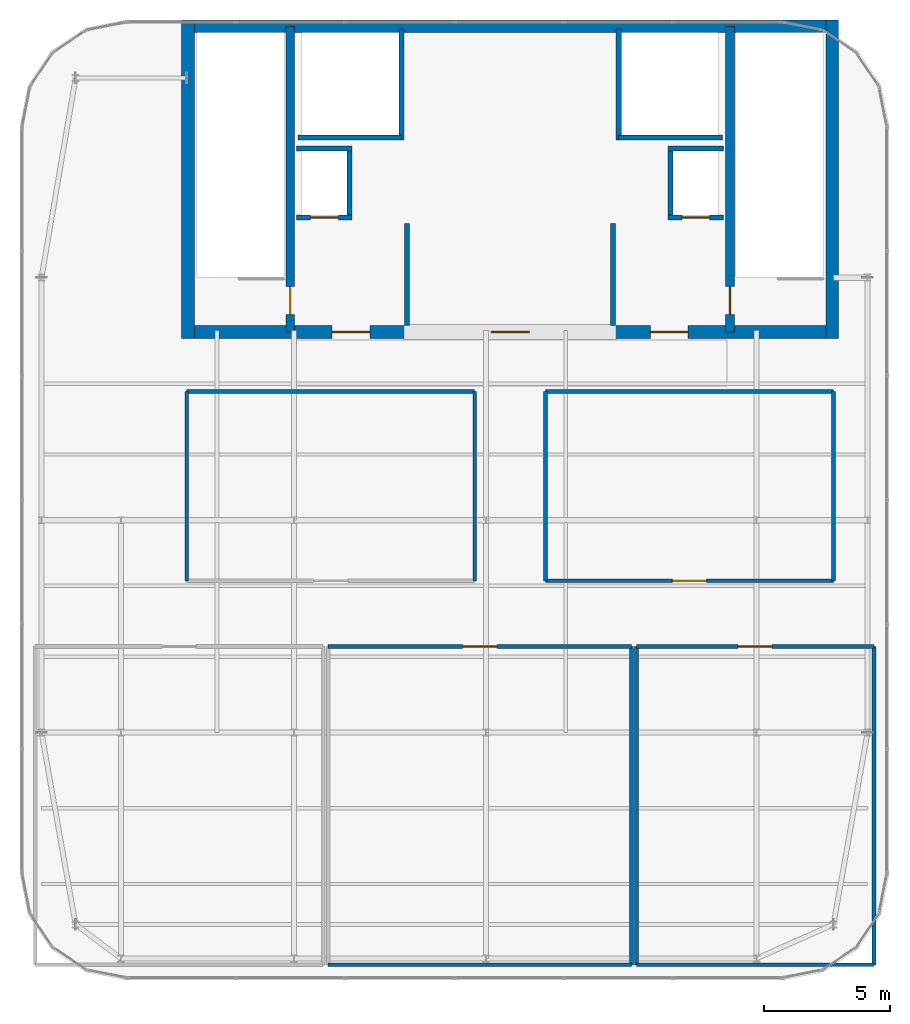
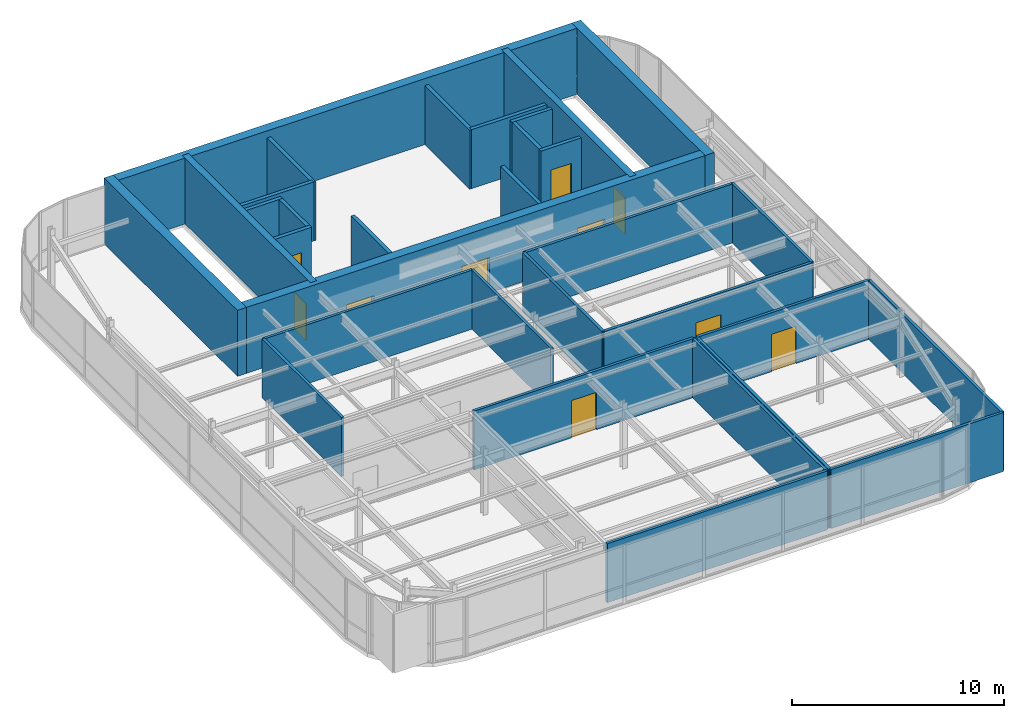
# One storey, part 34 of 35: 32 walls, 10 doors, 10 openings.
"""IFC4 building model written with IfcOpenShell, lengths in metres."""

from ifc_helpers import new_model, si_unit, direction, frame, frame_2d, origin, place, context, subcontext, project, spatial, rectangle, extrude, source, transform, mapped, material, layer, layer_set, type_object, type_shapes, element, fill, save


model = new_model("IFC4")

# Units and contexts
model_context = context("Model", 3, precision=1e-05, world=origin(), true_north=direction((0.0, 1.0)))
body_context = subcontext(model_context, "Body", "Model", "MODEL_VIEW")
ifc_project = project(units=[si_unit("LENGTHUNIT", "METRE"), si_unit("AREAUNIT", "SQUARE_METRE"), si_unit("VOLUMEUNIT", "CUBIC_METRE"), si_unit("PLANEANGLEUNIT", "RADIAN"), si_unit("MASSUNIT", "GRAM", prefix="KILO")], contexts=[model_context])

# Site, building, storey
site_placement = place(None, origin())
site = spatial("IfcSite", under=ifc_project, at=site_placement, CompositionType="ELEMENT")
building_placement = place(site_placement, origin())
building = spatial("IfcBuilding", under=site, at=building_placement, Name="Tolvann Quenvar Hotel", CompositionType="ELEMENT")
storey_placement = place(building_placement, frame((0.0, 0.0, 309.949951171875)))
storey = spatial("IfcBuildingStorey", under=building, at=storey_placement, Name="L82", CompositionType="ELEMENT", Elevation=309.949951171875)

# Wall, openings, doors
ifc_material_1 = material(Name="Concrete N50 (50 MPa)", Category="concrete")
ifc_layer_1 = layer(ifc_material_1, 0.5)
ifc_layer_set_1 = layer_set([ifc_layer_1], Name="Concrete N50 (50 MPa)")
wall_type_1 = type_object("IfcWallType", Name="WALL_CORE_500", PredefinedType="SHEAR", material=ifc_layer_set_1)
wall_1_placement = place(storey_placement, frame((10.0, 31.85009765625, 0.0), z_axis=(0.0, 0.0, 1.0), x_axis=(1.0, 0.0, 0.0)))
wall_1 = element("IfcWall", 1, at=wall_1_placement, inside=storey, type_object=wall_type_1, Name="Rear Core S Shear Wall (L82)", PredefinedType="SHEAR", context=body_context, shape_type="SweptSolid", body=[
    extrude(rectangle(XDim=26.0, YDim=0.5, at=frame_2d((13.0, 0.0))), origin(), (0.0, 0.0, 1.0), 3.800048828125),
])
opening_1_placement = place(wall_1_placement, frame((7.449951171875, 0.0, 0.0), z_axis=(0.0, 0.0, 1.0), x_axis=(-1.0, 0.0, 0.0)))
opening_1 = element("IfcOpeningElement", 2, at=opening_1_placement, cuts=wall_1, Name="Opening FD-60D", PredefinedType="OPENING", context=body_context, shape_type="SweptSolid", body=[
    extrude(rectangle(XDim=1.5, YDim=2.0400390625, at=frame_2d((0.75, 1.02001953125))), frame((0.0, 0.260009765625, 0.0), z_axis=(0.0, -1.0, 0.0), x_axis=(1.0, 0.0, 0.0)), (0.0, 0.0, 1.0), 0.52001953125),
])
opening_2_placement = place(wall_1_placement, frame((13.75, 0.0, 0.0), z_axis=(0.0, 0.0, 1.0), x_axis=(-1.0, 0.0, 0.0)))
opening_2 = element("IfcOpeningElement", 3, at=opening_2_placement, cuts=wall_1, Name="Opening FD-60D", PredefinedType="OPENING", context=body_context, shape_type="SweptSolid", body=[
    extrude(rectangle(XDim=1.5, YDim=2.0400390625, at=frame_2d((0.75, 1.02001953125))), frame((0.0, 0.260009765625, 0.0), z_axis=(0.0, -1.0, 0.0), x_axis=(1.0, 0.0, 0.0)), (0.0, 0.0, 1.0), 0.52001953125),
])
opening_3_placement = place(wall_1_placement, frame((20.050048828125, 0.0, 0.0), z_axis=(0.0, 0.0, 1.0), x_axis=(-1.0, 0.0, 0.0)))
opening_3 = element("IfcOpeningElement", 4, at=opening_3_placement, cuts=wall_1, Name="Opening FD-60D", PredefinedType="OPENING", context=body_context, shape_type="SweptSolid", body=[
    extrude(rectangle(XDim=1.5, YDim=2.0400390625, at=frame_2d((0.75, 1.02001953125))), frame((0.0, 0.260009765625, 0.0), z_axis=(0.0, -1.0, 0.0), x_axis=(1.0, 0.0, 0.0)), (0.0, 0.0, 1.0), 0.52001953125),
])
ifc_material_2 = material(Name="Solid-core American oak acoustic fire door leaf in steel frame", Category="steel")
door_type_1 = type_object("IfcDoorType", Name="DOOR_FIRE_LOBBY_1500", OperationType="NOTDEFINED", PredefinedType="DOOR", material=ifc_material_2)
shared_shape_1 = source(origin(), body_context, "Body", "SweptSolid", [
    extrude(rectangle(XDim=1.5, YDim=2.0400390625, at=frame_2d((0.75, 1.02001953125))), frame((0.0, 0.02490234375, 0.0), z_axis=(0.0, -1.0, 0.0), x_axis=(1.0, 0.0, 0.0)), (0.0, 0.0, 1.0), 0.050048828125),
])
type_shapes(door_type_1, [shared_shape_1])
door_1_placement = place(opening_1_placement, origin())
door_1 = element("IfcDoor", 5, at=door_1_placement, inside=storey, type_object=door_type_1, Name="Core Lobby Fire Door FFW (L82)", OperationType="DOUBLE_DOOR_SINGLE_SWING", OverallHeight=2.0400390625, OverallWidth=1.5, PredefinedType="DOOR", context=body_context, shape_type="MappedRepresentation", body=[
    mapped(shared_shape_1, transform((0.0, 0.0, 0.0), x_axis=(1.0, 0.0, 0.0), y_axis=(0.0, 1.0, 0.0), z_axis=(0.0, 0.0, 1.0), scale=1.0)),
])
fill(opening_1, door_1)
door_2_placement = place(opening_2_placement, origin())
door_2 = element("IfcDoor", 6, at=door_2_placement, inside=storey, type_object=door_type_1, Name="Core Lobby Fire Door CLOB (L82)", OperationType="DOUBLE_DOOR_SINGLE_SWING", OverallHeight=2.0400390625, OverallWidth=1.5, PredefinedType="DOOR", context=body_context, shape_type="MappedRepresentation", body=[
    mapped(shared_shape_1, transform((0.0, 0.0, 0.0), x_axis=(1.0, 0.0, 0.0), y_axis=(0.0, 1.0, 0.0), z_axis=(0.0, 0.0, 1.0), scale=1.0)),
])
fill(opening_2, door_2)
door_3_placement = place(opening_3_placement, origin())
door_3 = element("IfcDoor", 7, at=door_3_placement, inside=storey, type_object=door_type_1, Name="Core Lobby Fire Door FFE (L82)", OperationType="DOUBLE_DOOR_SINGLE_SWING", OverallHeight=2.0400390625, OverallWidth=1.5, PredefinedType="DOOR", context=body_context, shape_type="MappedRepresentation", body=[
    mapped(shared_shape_1, transform((0.0, 0.0, 0.0), x_axis=(1.0, 0.0, 0.0), y_axis=(0.0, 1.0, 0.0), z_axis=(0.0, 0.0, 1.0), scale=1.0)),
])
fill(opening_3, door_3)

# Walls
wall_2_placement = place(storey_placement, frame((10.0, 43.949951171875, 0.0), z_axis=(0.0, 0.0, 1.0), x_axis=(1.0, 0.0, 0.0)))
element("IfcWall", 8, at=wall_2_placement, inside=storey, type_object=wall_type_1, Name="Rear Core N Shear Wall (L82)", PredefinedType="SHEAR", context=body_context, shape_type="SweptSolid", body=[
    extrude(rectangle(XDim=26.0, YDim=0.5, at=frame_2d((13.0, 0.0))), origin(), (0.0, 0.0, 1.0), 3.800048828125),
])
for number, where, z_axis, x_axis, name in (
    (9, (10.25, 31.60009765625, 0.0), (0.0, 0.0, 1.0), (0.0, 1.0, 0.0), "Rear Core W Shear Wall (L82)"),
    (10, (35.75, 31.60009765625, 0.0), (0.0, 0.0, 1.0), (0.0, 1.0, 0.0), "Rear Core E Shear Wall (L82)"),
):
    element("IfcWall", number, at=place(storey_placement, frame(where, z_axis=z_axis, x_axis=x_axis)), inside=storey, type_object=wall_type_1, Name=name, PredefinedType="SHEAR", context=body_context, shape_type="SweptSolid", body=[
        extrude(rectangle(XDim=12.599853515625, YDim=0.5, at=frame_2d((6.2998046875, 0.0))), origin(), (0.0, 0.0, 1.0), 3.800048828125),
    ])

# Wall, opening, door
ifc_material_3 = material(Name="Concrete S65 (65 MPa)", Category="concrete")
ifc_layer_2 = layer(ifc_material_3, 0.35009765625)
ifc_layer_set_2 = layer_set([ifc_layer_2], Name="Concrete S65 (65 MPa)")
wall_type_2 = type_object("IfcWallType", Name="WALL_CORE_INT_350", PredefinedType="SHEAR", material=ifc_layer_set_2)
wall_3_placement = place(storey_placement, frame((14.300048828125, 31.85009765625, 0.0), z_axis=(0.0, 0.0, 1.0), x_axis=(0.0, 1.0, 0.0)))
wall_3 = element("IfcWall", 11, at=wall_3_placement, inside=storey, type_object=wall_type_2, Name="Core Internal Web Shear Wall WEB-W (L82)", PredefinedType="SHEAR", context=body_context, shape_type="SweptSolid", body=[
    extrude(rectangle(XDim=12.099853515625, YDim=0.35009765625, at=frame_2d((6.0498046875, 0.0))), origin(), (0.0, 0.0, 1.0), 3.800048828125),
])
opening_4_placement = place(wall_3_placement, frame((0.699951171875, 0.0, 0.0)))
opening_4 = element("IfcOpeningElement", 12, at=opening_4_placement, cuts=wall_3, Name="Opening FD-120", PredefinedType="OPENING", context=body_context, shape_type="SweptSolid", body=[
    extrude(rectangle(XDim=1.10009765625, YDim=2.1201171875, at=frame_2d((0.550048828125, 1.06005859375))), frame((0.0, 0.18505859375, 0.0), z_axis=(0.0, -1.0, 0.0), x_axis=(1.0, 0.0, 0.0)), (0.0, 0.0, 1.0), 0.3701171875),
])
ifc_material_4 = material(Name="Pressed galvanised steel fire-rated door set", Category="steel")
door_type_2 = type_object("IfcDoorType", Name="DOOR_FIRE_STAIR_1100", OperationType="NOTDEFINED", PredefinedType="DOOR", material=ifc_material_4)
shared_shape_2 = source(origin(), body_context, "Body", "SweptSolid", [
    extrude(rectangle(XDim=1.10009765625, YDim=2.1201171875, at=frame_2d((0.550048828125, 1.06005859375))), frame((0.0, 0.02490234375, 0.0), z_axis=(0.0, -1.0, 0.0), x_axis=(1.0, 0.0, 0.0)), (0.0, 0.0, 1.0), 0.050048828125),
])
type_shapes(door_type_2, [shared_shape_2])
door_4_placement = place(opening_4_placement, origin())
door_4 = element("IfcDoor", 13, at=door_4_placement, inside=storey, type_object=door_type_2, Name="Exit Stair ST-C1 Fire Door (L82)", OperationType="SINGLE_SWING_LEFT", OverallHeight=2.1201171875, OverallWidth=1.10009765625, PredefinedType="DOOR", context=body_context, shape_type="MappedRepresentation", body=[
    mapped(shared_shape_2, transform((0.0, 0.0, 0.0), x_axis=(1.0, 0.0, 0.0), y_axis=(0.0, 1.0, 0.0), z_axis=(0.0, 0.0, 1.0), scale=1.0)),
])
fill(opening_4, door_4)

wall_4_placement = place(storey_placement, frame((31.699951171875, 31.85009765625, 0.0), z_axis=(0.0, 0.0, 1.0), x_axis=(0.0, 1.0, 0.0)))
wall_4 = element("IfcWall", 14, at=wall_4_placement, inside=storey, type_object=wall_type_2, Name="Core Internal Web Shear Wall WEB-E (L82)", PredefinedType="SHEAR", context=body_context, shape_type="SweptSolid", body=[
    extrude(rectangle(XDim=12.099853515625, YDim=0.35009765625, at=frame_2d((6.0498046875, 0.0))), origin(), (0.0, 0.0, 1.0), 3.800048828125),
])
opening_5_placement = place(wall_4_placement, frame((1.800048828125, 0.0, 0.0), z_axis=(0.0, 0.0, 1.0), x_axis=(-1.0, 0.0, 0.0)))
opening_5 = element("IfcOpeningElement", 15, at=opening_5_placement, cuts=wall_4, Name="Opening FD-120", PredefinedType="OPENING", context=body_context, shape_type="SweptSolid", body=[
    extrude(rectangle(XDim=1.10009765625, YDim=2.1201171875, at=frame_2d((0.550048828125, 1.06005859375))), frame((0.0, 0.18505859375, 0.0), z_axis=(0.0, -1.0, 0.0), x_axis=(1.0, 0.0, 0.0)), (0.0, 0.0, 1.0), 0.3701171875),
])
door_5_placement = place(opening_5_placement, origin())
door_5 = element("IfcDoor", 16, at=door_5_placement, inside=storey, type_object=door_type_2, Name="Exit Stair ST-C2 Fire Door (L82)", OperationType="SINGLE_SWING_RIGHT", OverallHeight=2.1201171875, OverallWidth=1.10009765625, PredefinedType="DOOR", context=body_context, shape_type="MappedRepresentation", body=[
    mapped(shared_shape_2, transform((0.0, 0.0, 0.0), x_axis=(1.0, 0.0, 0.0), y_axis=(0.0, 1.0, 0.0), z_axis=(0.0, 0.0, 1.0), scale=1.0)),
])
fill(opening_5, door_5)

# Wall
ifc_material_5 = material(Name="Acoustic twin-stud fire-rated gypsum plasterboard partition")
ifc_layer_3 = layer(ifc_material_5, 0.14990234375)
ifc_layer_set_3 = layer_set([ifc_layer_3], Name="Acoustic twin-stud fire-rated gypsum plasterboard partition")
wall_type_3 = type_object("IfcWallType", Name="WALL_PART_SUITE_150", PredefinedType="PARTITIONING", material=ifc_layer_set_3)
wall_5_placement = place(storey_placement, frame((15.800048828125, 6.800048828125, 0.0), z_axis=(0.0, 0.0, 1.0), x_axis=(1.0, 0.0, 0.0)))
element("IfcWall", 17, at=wall_5_placement, inside=storey, type_object=wall_type_3, Name="Interior Partition PT-SPC-L82-HRC-S", PredefinedType="PARTITIONING", context=body_context, shape_type="SweptSolid", body=[
    extrude(rectangle(XDim=12.0, YDim=0.14990234375, at=frame_2d((6.0, 0.0))), origin(), (0.0, 0.0, 1.0), 3.400146484375),
])

# Wall, opening, door
wall_6_placement = place(storey_placement, frame((15.800048828125, 19.39990234375, 0.0), z_axis=(0.0, 0.0, 1.0), x_axis=(1.0, 0.0, 0.0)))
wall_6 = element("IfcWall", 18, at=wall_6_placement, inside=storey, type_object=wall_type_3, Name="Interior Partition PT-SPC-L82-HRC-N", PredefinedType="PARTITIONING", context=body_context, shape_type="SweptSolid", body=[
    extrude(rectangle(XDim=12.0, YDim=0.14990234375, at=frame_2d((6.0, 0.0))), origin(), (0.0, 0.0, 1.0), 3.400146484375),
])
opening_6_placement = place(wall_6_placement, frame((5.324951171875, 0.0, 0.0)))
opening_6 = element("IfcOpeningElement", 19, at=opening_6_placement, cuts=wall_6, Name="Opening PD-01", PredefinedType="OPENING", context=body_context, shape_type="SweptSolid", body=[
    extrude(rectangle(XDim=1.35009765625, YDim=2.14990234375, at=frame_2d((0.675048828125, 1.074951171875))), frame((0.0, 0.0849609375, 0.0), z_axis=(0.0, -1.0, 0.0), x_axis=(1.0, 0.0, 0.0)), (0.0, 0.0, 1.0), 0.169921875),
])
door_type_3 = type_object("IfcDoorType", Name="DOOR_PLANT_1350", OperationType="NOTDEFINED", PredefinedType="DOOR", material=ifc_material_4)
shared_shape_3 = source(origin(), body_context, "Body", "SweptSolid", [
    extrude(rectangle(XDim=1.35009765625, YDim=2.14990234375, at=frame_2d((0.675048828125, 1.074951171875))), frame((0.0, 0.02490234375, 0.0), z_axis=(0.0, -1.0, 0.0), x_axis=(1.0, 0.0, 0.0)), (0.0, 0.0, 1.0), 0.050048828125),
])
type_shapes(door_type_3, [shared_shape_3])
door_6_placement = place(opening_6_placement, origin())
door_6 = element("IfcDoor", 20, at=door_6_placement, inside=storey, type_object=door_type_3, Name="Interior Door DOOR-SPC-L82-HRC", OperationType="DOUBLE_DOOR_SINGLE_SWING", OverallHeight=2.14990234375, OverallWidth=1.35009765625, PredefinedType="DOOR", context=body_context, shape_type="MappedRepresentation", body=[
    mapped(shared_shape_3, transform((0.0, 0.0, 0.0), x_axis=(1.0, 0.0, 0.0), y_axis=(0.0, 1.0, 0.0), z_axis=(0.0, 0.0, 1.0), scale=1.0)),
])
fill(opening_6, door_6)

# Walls
wall_7_placement = place(storey_placement, frame((27.800048828125, 6.800048828125, 0.0), z_axis=(0.0, 0.0, 1.0), x_axis=(0.0, 1.0, 0.0)))
element("IfcWall", 21, at=wall_7_placement, inside=storey, type_object=wall_type_3, Name="Interior Partition PT-SPC-L82-HRC-E", PredefinedType="PARTITIONING", context=body_context, shape_type="SweptSolid", body=[
    extrude(rectangle(XDim=12.599853515625, YDim=0.14990234375, at=frame_2d((6.2998046875, 0.0))), origin(), (0.0, 0.0, 1.0), 3.400146484375),
])
wall_8_placement = place(storey_placement, frame((28.0, 6.800048828125, 0.0), z_axis=(0.0, 0.0, 1.0), x_axis=(1.0, 0.0, 0.0)))
element("IfcWall", 22, at=wall_8_placement, inside=storey, type_object=wall_type_3, Name="Interior Partition PT-SPC-L82-PMP-S", PredefinedType="PARTITIONING", context=body_context, shape_type="SweptSolid", body=[
    extrude(rectangle(XDim=9.39990234375, YDim=0.14990234375, at=frame_2d((4.699951171875, 0.0))), origin(), (0.0, 0.0, 1.0), 3.400146484375),
])

# Wall, opening, door
wall_9_placement = place(storey_placement, frame((28.0, 19.39990234375, 0.0), z_axis=(0.0, 0.0, 1.0), x_axis=(1.0, 0.0, 0.0)))
wall_9 = element("IfcWall", 23, at=wall_9_placement, inside=storey, type_object=wall_type_3, Name="Interior Partition PT-SPC-L82-PMP-N", PredefinedType="PARTITIONING", context=body_context, shape_type="SweptSolid", body=[
    extrude(rectangle(XDim=9.39990234375, YDim=0.14990234375, at=frame_2d((4.699951171875, 0.0))), origin(), (0.0, 0.0, 1.0), 3.400146484375),
])
opening_7_placement = place(wall_9_placement, frame((4.02490234375, 0.0, 0.0)))
opening_7 = element("IfcOpeningElement", 24, at=opening_7_placement, cuts=wall_9, Name="Opening PD-01", PredefinedType="OPENING", context=body_context, shape_type="SweptSolid", body=[
    extrude(rectangle(XDim=1.35009765625, YDim=2.14990234375, at=frame_2d((0.675048828125, 1.074951171875))), frame((0.0, 0.0849609375, 0.0), z_axis=(0.0, -1.0, 0.0), x_axis=(1.0, 0.0, 0.0)), (0.0, 0.0, 1.0), 0.169921875),
])
door_7_placement = place(opening_7_placement, origin())
door_7 = element("IfcDoor", 25, at=door_7_placement, inside=storey, type_object=door_type_3, Name="Interior Door DOOR-SPC-L82-PMP", OperationType="DOUBLE_DOOR_SINGLE_SWING", OverallHeight=2.14990234375, OverallWidth=1.35009765625, PredefinedType="DOOR", context=body_context, shape_type="MappedRepresentation", body=[
    mapped(shared_shape_3, transform((0.0, 0.0, 0.0), x_axis=(1.0, 0.0, 0.0), y_axis=(0.0, 1.0, 0.0), z_axis=(0.0, 0.0, 1.0), scale=1.0)),
])
fill(opening_7, door_7)

# Walls
for number, where, z_axis, x_axis, name in (
    (26, (28.0, 6.800048828125, 0.0), (0.0, 0.0, 1.0), (0.0, 1.0, 0.0), "Interior Partition PT-SPC-L82-PMP-W"),
    (27, (37.39990234375, 6.800048828125, 0.0), (0.0, 0.0, 1.0), (0.0, 1.0, 0.0), "Interior Partition PT-SPC-L82-PMP-E"),
):
    element("IfcWall", number, at=place(storey_placement, frame(where, z_axis=z_axis, x_axis=x_axis)), inside=storey, type_object=wall_type_3, Name=name, PredefinedType="PARTITIONING", context=body_context, shape_type="SweptSolid", body=[
        extrude(rectangle(XDim=12.599853515625, YDim=0.14990234375, at=frame_2d((6.2998046875, 0.0))), origin(), (0.0, 0.0, 1.0), 3.400146484375),
    ])
wall_10_placement = place(storey_placement, frame((10.199951171875, 29.5, 0.0), z_axis=(0.0, 0.0, 1.0), x_axis=(1.0, 0.0, 0.0)))
element("IfcWall", 28, at=wall_10_placement, inside=storey, type_object=wall_type_3, Name="Interior Partition PT-SPC-L82-MNT-N", PredefinedType="PARTITIONING", context=body_context, shape_type="SweptSolid", body=[
    extrude(rectangle(XDim=11.400146484375, YDim=0.14990234375, at=frame_2d((5.7001953125, 0.0))), origin(), (0.0, 0.0, 1.0), 3.400146484375),
])
for number, where, z_axis, x_axis, name in (
    (29, (10.199951171875, 22.0, 0.0), (0.0, 0.0, 1.0), (0.0, 1.0, 0.0), "Interior Partition PT-SPC-L82-MNT-W"),
    (30, (21.60009765625, 22.0, 0.0), (0.0, 0.0, 1.0), (0.0, 1.0, 0.0), "Interior Partition PT-SPC-L82-MNT-E"),
):
    element("IfcWall", number, at=place(storey_placement, frame(where, z_axis=z_axis, x_axis=x_axis)), inside=storey, type_object=wall_type_3, Name=name, PredefinedType="PARTITIONING", context=body_context, shape_type="SweptSolid", body=[
        extrude(rectangle(XDim=7.5, YDim=0.14990234375, at=frame_2d((3.75, 0.0))), origin(), (0.0, 0.0, 1.0), 3.400146484375),
    ])

# Wall, opening, door
wall_11_placement = place(storey_placement, frame((24.39990234375, 22.0, 0.0), z_axis=(0.0, 0.0, 1.0), x_axis=(1.0, 0.0, 0.0)))
wall_11 = element("IfcWall", 31, at=wall_11_placement, inside=storey, type_object=wall_type_3, Name="Interior Partition PT-SPC-L82-SOL-S", PredefinedType="PARTITIONING", context=body_context, shape_type="SweptSolid", body=[
    extrude(rectangle(XDim=11.400146484375, YDim=0.14990234375, at=frame_2d((5.7001953125, 0.0))), origin(), (0.0, 0.0, 1.0), 3.400146484375),
])
opening_8_placement = place(wall_11_placement, frame((5.02490234375, 0.0, 0.0)))
opening_8 = element("IfcOpeningElement", 32, at=opening_8_placement, cuts=wall_11, Name="Opening PD-01", PredefinedType="OPENING", context=body_context, shape_type="SweptSolid", body=[
    extrude(rectangle(XDim=1.35009765625, YDim=2.14990234375, at=frame_2d((0.675048828125, 1.074951171875))), frame((0.0, 0.0849609375, 0.0), z_axis=(0.0, -1.0, 0.0), x_axis=(1.0, 0.0, 0.0)), (0.0, 0.0, 1.0), 0.169921875),
])
door_8_placement = place(opening_8_placement, origin())
door_8 = element("IfcDoor", 33, at=door_8_placement, inside=storey, type_object=door_type_3, Name="Interior Door DOOR-SPC-L82-SOL", OperationType="DOUBLE_DOOR_SINGLE_SWING", OverallHeight=2.14990234375, OverallWidth=1.35009765625, PredefinedType="DOOR", context=body_context, shape_type="MappedRepresentation", body=[
    mapped(shared_shape_3, transform((0.0, 0.0, 0.0), x_axis=(1.0, 0.0, 0.0), y_axis=(0.0, 1.0, 0.0), z_axis=(0.0, 0.0, 1.0), scale=1.0)),
])
fill(opening_8, door_8)

# Walls
wall_12_placement = place(storey_placement, frame((24.39990234375, 29.5, 0.0), z_axis=(0.0, 0.0, 1.0), x_axis=(1.0, 0.0, 0.0)))
element("IfcWall", 34, at=wall_12_placement, inside=storey, type_object=wall_type_3, Name="Interior Partition PT-SPC-L82-SOL-N", PredefinedType="PARTITIONING", context=body_context, shape_type="SweptSolid", body=[
    extrude(rectangle(XDim=11.400146484375, YDim=0.14990234375, at=frame_2d((5.7001953125, 0.0))), origin(), (0.0, 0.0, 1.0), 3.400146484375),
])
for number, where, z_axis, x_axis, name in (
    (35, (24.39990234375, 22.0, 0.0), (0.0, 0.0, 1.0), (0.0, 1.0, 0.0), "Interior Partition PT-SPC-L82-SOL-W"),
    (36, (35.800048828125, 22.0, 0.0), (0.0, 0.0, 1.0), (0.0, 1.0, 0.0), "Interior Partition PT-SPC-L82-SOL-E"),
):
    element("IfcWall", number, at=place(storey_placement, frame(where, z_axis=z_axis, x_axis=x_axis)), inside=storey, type_object=wall_type_3, Name=name, PredefinedType="PARTITIONING", context=body_context, shape_type="SweptSolid", body=[
        extrude(rectangle(XDim=7.5, YDim=0.14990234375, at=frame_2d((3.75, 0.0))), origin(), (0.0, 0.0, 1.0), 3.400146484375),
    ])
ifc_material_6 = material(Name="Concrete N40 (40 MPa)", Category="concrete")
ifc_layer_4 = layer(ifc_material_6, 0.199951171875)
ifc_layer_set_4 = layer_set([ifc_layer_4], Name="Concrete N40 (40 MPa)")
wall_type_4 = type_object("IfcWallType", Name="WALL_SHAFT_200", PredefinedType="SOLIDWALL", material=ifc_layer_set_4)
wall_13_placement = place(storey_placement, frame((18.699951171875, 39.449951171875, 0.0), z_axis=(0.0, 0.0, 1.0), x_axis=(0.0, 1.0, 0.0)))
element("IfcWall", 37, at=wall_13_placement, inside=storey, type_object=wall_type_4, Name="Service Riser W Shaft Wall IN (L82)", PredefinedType="SOLIDWALL", context=body_context, shape_type="SweptSolid", body=[
    extrude(rectangle(XDim=4.400146484375, YDim=0.199951171875, at=frame_2d((2.2001953125, 0.0))), origin(), (0.0, 0.0, 1.0), 3.400146484375),
])
wall_14_placement = place(storey_placement, frame((14.60009765625, 39.550048828125, 0.0), z_axis=(0.0, 0.0, 1.0), x_axis=(1.0, 0.0, 0.0)))
element("IfcWall", 38, at=wall_14_placement, inside=storey, type_object=wall_type_4, Name="Service Riser W Shaft Wall S (L82)", PredefinedType="SOLIDWALL", context=body_context, shape_type="SweptSolid", body=[
    extrude(rectangle(XDim=4.099853515625, YDim=0.199951171875, at=frame_2d((2.0498046875, 0.0))), origin(), (0.0, 0.0, 1.0), 3.400146484375),
])
wall_15_placement = place(storey_placement, frame((27.300048828125, 39.449951171875, 0.0), z_axis=(0.0, 0.0, 1.0), x_axis=(0.0, 1.0, 0.0)))
element("IfcWall", 39, at=wall_15_placement, inside=storey, type_object=wall_type_4, Name="Service Riser E Shaft Wall IN (L82)", PredefinedType="SOLIDWALL", context=body_context, shape_type="SweptSolid", body=[
    extrude(rectangle(XDim=4.400146484375, YDim=0.199951171875, at=frame_2d((2.2001953125, 0.0))), origin(), (0.0, 0.0, 1.0), 3.400146484375),
])
wall_16_placement = place(storey_placement, frame((27.300048828125, 39.550048828125, 0.0), z_axis=(0.0, 0.0, 1.0), x_axis=(1.0, 0.0, 0.0)))
element("IfcWall", 40, at=wall_16_placement, inside=storey, type_object=wall_type_4, Name="Service Riser E Shaft Wall S (L82)", PredefinedType="SOLIDWALL", context=body_context, shape_type="SweptSolid", body=[
    extrude(rectangle(XDim=4.099853515625, YDim=0.199951171875, at=frame_2d((2.0498046875, 0.0))), origin(), (0.0, 0.0, 1.0), 3.400146484375),
])
for number, where, z_axis, x_axis, name in (
    (41, (18.919921875, 32.10400390625, 0.0), (0.0, 0.0, 1.0), (0.0, 1.0, 0.0), "Firefighting Lobby W Inner Fire Wall (L82)"),
    (42, (27.080078125, 32.10400390625, 0.0), (0.0, 0.0, 1.0), (0.0, 1.0, 0.0), "Firefighting Lobby E Inner Fire Wall (L82)"),
):
    element("IfcWall", number, at=place(storey_placement, frame(where, z_axis=z_axis, x_axis=x_axis)), inside=storey, type_object=wall_type_4, Name=name, PredefinedType="SOLIDWALL", context=body_context, shape_type="SweptSolid", body=[
        extrude(rectangle(XDim=4.0458984375, YDim=0.199951171875, at=frame_2d((2.02294921875, 0.0))), origin(), (0.0, 0.0, 1.0), 3.400146484375),
    ])

# Wall, opening, door
wall_17_placement = place(storey_placement, frame((29.25, 36.3798828125, 0.0), z_axis=(0.0, 0.0, 1.0), x_axis=(1.0, 0.0, 0.0)))
wall_17 = element("IfcWall", 43, at=wall_17_placement, inside=storey, type_object=wall_type_4, Name="Lift Bank SEC1 Hoistway Front Wall (L82)", PredefinedType="SOLIDWALL", context=body_context, shape_type="SweptSolid", body=[
    extrude(rectangle(XDim=2.199951171875, YDim=0.199951171875, at=frame_2d((1.10009765625, 0.0))), origin(), (0.0, 0.0, 1.0), 3.400146484375),
])
opening_9_placement = place(wall_17_placement, frame((0.550048828125, 0.0, 0.0)))
opening_9 = element("IfcOpeningElement", 44, at=opening_9_placement, cuts=wall_17, Name="Opening LD-01", PredefinedType="OPENING", context=body_context, shape_type="SweptSolid", body=[
    extrude(rectangle(XDim=1.10009765625, YDim=2.1201171875, at=frame_2d((0.550048828125, 1.06005859375))), frame((0.0, 0.10986328125, 0.0), z_axis=(0.0, -1.0, 0.0), x_axis=(1.0, 0.0, 0.0)), (0.0, 0.0, 1.0), 0.219970703125),
])
ifc_material_7 = material(Name="Brushed 316 stainless steel automatic sliding lift landing door", Category="steel")
door_type_4 = type_object("IfcDoorType", Name="DOOR_LIFT_SLIDE_1100", OperationType="NOTDEFINED", PredefinedType="DOOR", material=ifc_material_7)
shared_shape_4 = source(origin(), body_context, "Body", "SweptSolid", [
    extrude(rectangle(XDim=1.10009765625, YDim=2.1201171875, at=frame_2d((0.550048828125, 1.06005859375))), frame((0.0, 0.02490234375, 0.0), z_axis=(0.0, -1.0, 0.0), x_axis=(1.0, 0.0, 0.0)), (0.0, 0.0, 1.0), 0.050048828125),
])
type_shapes(door_type_4, [shared_shape_4])
door_9_placement = place(opening_9_placement, origin())
door_9 = element("IfcDoor", 45, at=door_9_placement, inside=storey, type_object=door_type_4, Name="Lift FF-2 Sliding Landing Door (L82)", OperationType="SLIDING_TO_RIGHT", OverallHeight=2.1201171875, OverallWidth=1.10009765625, PredefinedType="DOOR", context=body_context, shape_type="MappedRepresentation", body=[
    mapped(shared_shape_4, transform((0.0, 0.0, 0.0), x_axis=(1.0, 0.0, 0.0), y_axis=(0.0, 1.0, 0.0), z_axis=(0.0, 0.0, 1.0), scale=1.0)),
])
fill(opening_9, door_9)

# Walls
wall_18_placement = place(storey_placement, frame((29.25, 39.1201171875, 0.0), z_axis=(0.0, 0.0, 1.0), x_axis=(1.0, 0.0, 0.0)))
element("IfcWall", 46, at=wall_18_placement, inside=storey, type_object=wall_type_4, Name="Lift Bank SEC1 Hoistway Rear Wall (L82)", PredefinedType="SOLIDWALL", context=body_context, shape_type="SweptSolid", body=[
    extrude(rectangle(XDim=2.199951171875, YDim=0.199951171875, at=frame_2d((1.10009765625, 0.0))), origin(), (0.0, 0.0, 1.0), 3.400146484375),
])
wall_19_placement = place(storey_placement, frame((29.35009765625, 36.47998046875, 0.0), z_axis=(0.0, 0.0, 1.0), x_axis=(0.0, 1.0, 0.0)))
element("IfcWall", 47, at=wall_19_placement, inside=storey, type_object=wall_type_4, Name="Lift Bank SEC1 Hoistway Cheek Wall 1 (L82)", PredefinedType="SOLIDWALL", context=body_context, shape_type="SweptSolid", body=[
    extrude(rectangle(XDim=2.5400390625, YDim=0.199951171875, at=frame_2d((1.27001953125, 0.0))), origin(), (0.0, 0.0, 1.0), 3.400146484375),
])

# Wall, opening, door
wall_20_placement = place(storey_placement, frame((14.550048828125, 36.3798828125, 0.0), z_axis=(0.0, 0.0, 1.0), x_axis=(1.0, 0.0, 0.0)))
wall_20 = element("IfcWall", 48, at=wall_20_placement, inside=storey, type_object=wall_type_4, Name="Lift Bank SWC1 Hoistway Front Wall (L82)", PredefinedType="SOLIDWALL", context=body_context, shape_type="SweptSolid", body=[
    extrude(rectangle(XDim=2.199951171875, YDim=0.199951171875, at=frame_2d((1.10009765625, 0.0))), origin(), (0.0, 0.0, 1.0), 3.400146484375),
])
opening_10_placement = place(wall_20_placement, frame((0.550048828125, 0.0, 0.0)))
opening_10 = element("IfcOpeningElement", 49, at=opening_10_placement, cuts=wall_20, Name="Opening LD-01", PredefinedType="OPENING", context=body_context, shape_type="SweptSolid", body=[
    extrude(rectangle(XDim=1.10009765625, YDim=2.1201171875, at=frame_2d((0.550048828125, 1.06005859375))), frame((0.0, 0.10986328125, 0.0), z_axis=(0.0, -1.0, 0.0), x_axis=(1.0, 0.0, 0.0)), (0.0, 0.0, 1.0), 0.219970703125),
])
door_10_placement = place(opening_10_placement, origin())
door_10 = element("IfcDoor", 50, at=door_10_placement, inside=storey, type_object=door_type_4, Name="Lift FF-1 Sliding Landing Door (L82)", OperationType="SLIDING_TO_LEFT", OverallHeight=2.1201171875, OverallWidth=1.10009765625, PredefinedType="DOOR", context=body_context, shape_type="MappedRepresentation", body=[
    mapped(shared_shape_4, transform((0.0, 0.0, 0.0), x_axis=(1.0, 0.0, 0.0), y_axis=(0.0, 1.0, 0.0), z_axis=(0.0, 0.0, 1.0), scale=1.0)),
])
fill(opening_10, door_10)

# Walls
wall_21_placement = place(storey_placement, frame((14.550048828125, 39.1201171875, 0.0), z_axis=(0.0, 0.0, 1.0), x_axis=(1.0, 0.0, 0.0)))
element("IfcWall", 51, at=wall_21_placement, inside=storey, type_object=wall_type_4, Name="Lift Bank SWC1 Hoistway Rear Wall (L82)", PredefinedType="SOLIDWALL", context=body_context, shape_type="SweptSolid", body=[
    extrude(rectangle(XDim=2.199951171875, YDim=0.199951171875, at=frame_2d((1.10009765625, 0.0))), origin(), (0.0, 0.0, 1.0), 3.400146484375),
])
wall_22_placement = place(storey_placement, frame((16.64990234375, 36.47998046875, 0.0), z_axis=(0.0, 0.0, 1.0), x_axis=(0.0, 1.0, 0.0)))
element("IfcWall", 52, at=wall_22_placement, inside=storey, type_object=wall_type_4, Name="Lift Bank SWC1 Hoistway Cheek Wall 2 (L82)", PredefinedType="SOLIDWALL", context=body_context, shape_type="SweptSolid", body=[
    extrude(rectangle(XDim=2.5400390625, YDim=0.199951171875, at=frame_2d((1.27001953125, 0.0))), origin(), (0.0, 0.0, 1.0), 3.400146484375),
])

save(model, "model.ifc")
